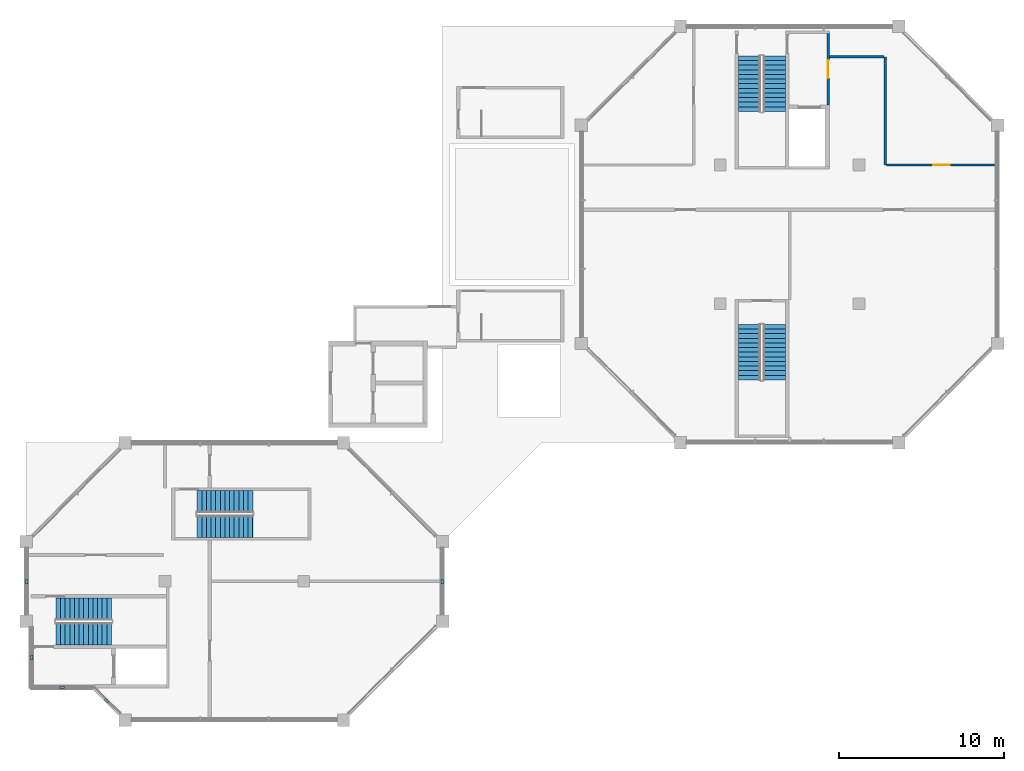
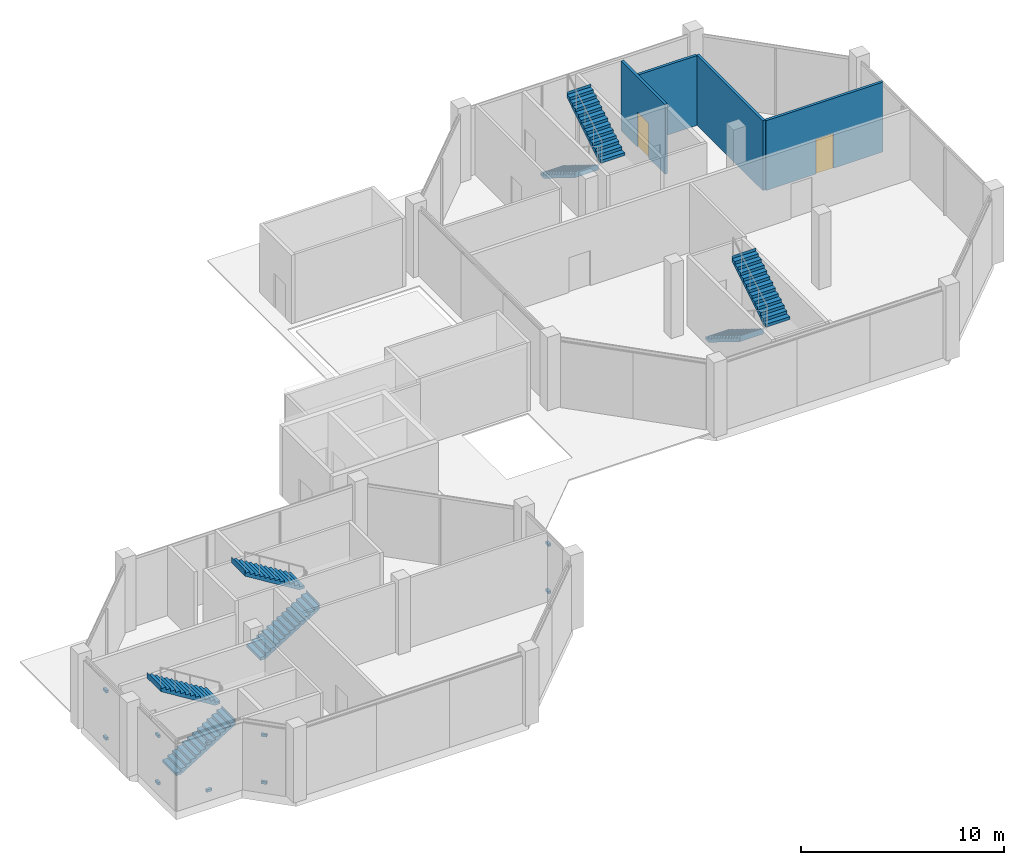
# One storey, part 7 of 10: 10 discrete accessories, 8 stair flights, 4 walls, 2 doors, 2 openings, 4 elements without a shape of their own.
"""IFC4 building model written with IfcOpenShell, lengths in metres."""

from ifc_helpers import new_model, si_unit, direction, frame, frame_2d, origin, origin_2d, place, context, subcontext, project, spatial, polyline, rectangle, outline, extrude, material, layer, layer_set, type_object, element, fill, aggregate, save


model = new_model("IFC4")

# Units and contexts
model_context = context("Model", 3, precision=1e-05, world=origin(), true_north=direction((0.0, 1.0)))
body_context = subcontext(model_context, "Body", "Model", "MODEL_VIEW")
ifc_project = project(units=[si_unit("LENGTHUNIT", "METRE"), si_unit("AREAUNIT", "SQUARE_METRE"), si_unit("VOLUMEUNIT", "CUBIC_METRE"), si_unit("PLANEANGLEUNIT", "RADIAN"), si_unit("MASSUNIT", "GRAM", prefix="KILO")], contexts=[model_context])

# Site, building, storey
site_placement = place(None, origin())
site = spatial("IfcSite", under=ifc_project, at=site_placement, CompositionType="ELEMENT")
building_placement = place(site_placement, origin())
building = spatial("IfcBuilding", under=site, at=building_placement, Name="Kawkab Arch Medical Tower", CompositionType="ELEMENT")
storey_placement = place(building_placement, frame((0.0, 0.0, 336.699951171875)))
storey = spatial("IfcBuildingStorey", under=building, at=storey_placement, Name="L78", CompositionType="ELEMENT", Elevation=336.699951171875)

# Wall, opening, door
ifc_material_1 = material(Name="Gypsum board on steel studs", Category="steel")
ifc_layer_1 = layer(ifc_material_1, 0.14990234375)
ifc_layer_set_1 = layer_set([ifc_layer_1], Name="Gypsum board on steel studs")
wall_type_1 = type_object("IfcWallType", Name="Core room partition 150", PredefinedType="PARTITIONING", material=ifc_layer_set_1)
wall_1_placement = place(storey_placement, frame((48.52490234375, -4.77490234375, 0.0), z_axis=(0.0, 0.0, 1.0), x_axis=(0.0, 1.0, 0.0)))
wall_1 = element("IfcWall", 1, at=wall_1_placement, inside=storey, type_object=wall_type_1, Name="L78 core room partition", PredefinedType="PARTITIONING", context=body_context, shape_type="SweptSolid", body=[
    extrude(rectangle(XDim=4.324951171875, YDim=0.14990234375, at=frame_2d((2.16259765625, 0.0))), origin(), (0.0, 0.0, 1.0), 4.199951171875),
])
opening_1_placement = place(wall_1_placement, frame((1.625, 0.0, 0.0)))
opening_1 = element("IfcOpeningElement", 2, at=opening_1_placement, cuts=wall_1, Name="Opening FD", PredefinedType="OPENING", context=body_context, shape_type="SweptSolid", body=[
    extrude(rectangle(XDim=1.10009765625, YDim=2.10009765625, at=frame_2d((0.550048828125, 1.050048828125))), frame((0.0, 0.0849609375, 0.0), z_axis=(0.0, -1.0, 0.0), x_axis=(1.0, 0.0, 0.0)), (0.0, 0.0, 1.0), 0.169921875),
])
ifc_material_2 = material(Name="Hollow metal fire door leaf")
door_type_1 = type_object("IfcDoorType", Name="Firefighting lobby door 1100", OperationType="SINGLE_SWING_LEFT", PredefinedType="DOOR", material=ifc_material_2)
door_1_placement = place(opening_1_placement, origin())
door_1 = element("IfcDoor", 3, at=door_1_placement, inside=storey, type_object=door_type_1, Name="L78 Service lift lobby door SV1", OperationType="SINGLE_SWING_LEFT", OverallHeight=2.10009765625, OverallWidth=1.10009765625, PredefinedType="DOOR", context=body_context, shape_type="SweptSolid", body=[
    extrude(rectangle(XDim=1.10009765625, YDim=2.10009765625, at=frame_2d((0.550048828125, 1.050048828125))), frame((0.0, 0.02490234375, 0.0), z_axis=(0.0, -1.0, 0.0), x_axis=(1.0, 0.0, 0.0)), (0.0, 0.0, 1.0), 0.050048828125),
])
fill(opening_1, door_1)

ifc_material_3 = material(Name="Gypsum board partition on steel studs, mineral wool", Category="steel")
ifc_layer_2 = layer(ifc_material_3, 0.14990234375)
ifc_layer_set_2 = layer_set([ifc_layer_2], Name="Gypsum board partition on steel studs, mineral wool")
wall_type_2 = type_object("IfcWallType", Name="Partition 150", PredefinedType="PARTITIONING", material=ifc_layer_set_2)
wall_2_placement = place(storey_placement, frame((52.068115234375, -8.39990234375, 0.0), z_axis=(0.0, 0.0, 1.0), x_axis=(1.0, 0.0, 0.0)))
wall_2 = element("IfcWall", 4, at=wall_2_placement, inside=storey, type_object=wall_type_2, Name="Partition 150 w003", PredefinedType="PARTITIONING", context=body_context, shape_type="SweptSolid", body=[
    extrude(rectangle(XDim=6.65185546875, YDim=0.14990234375, at=frame_2d((3.325927734375, 0.0))), origin(), (0.0, 0.0, 1.0), 4.199951171875),
])
opening_2_placement = place(wall_2_placement, frame((2.8291015625, 0.0, 0.0)))
opening_2 = element("IfcOpeningElement", 5, at=opening_2_placement, cuts=wall_2, Name="Opening C78-002", PredefinedType="OPENING", context=body_context, shape_type="SweptSolid", body=[
    extrude(rectangle(XDim=1.0, YDim=2.10009765625, at=frame_2d((0.5, 1.050048828125))), frame((0.0, 0.0849609375, 0.0), z_axis=(0.0, -1.0, 0.0), x_axis=(1.0, 0.0, 0.0)), (0.0, 0.0, 1.0), 0.169921875),
])
ifc_material_4 = material(Name="Hollow metal door leaf")
door_type_2 = type_object("IfcDoorType", Name="Single door 1000x2100 FD30S", OperationType="NOTDEFINED", PredefinedType="DOOR", material=ifc_material_4)
door_2_placement = place(opening_2_placement, origin())
door_2 = element("IfcDoor", 6, at=door_2_placement, inside=storey, type_object=door_type_2, Name="Door C78-002", OperationType="SINGLE_SWING_LEFT", OverallHeight=2.10009765625, OverallWidth=1.0, PredefinedType="DOOR", context=body_context, shape_type="SweptSolid", body=[
    extrude(rectangle(XDim=1.0, YDim=2.10009765625, at=frame_2d((0.5, 1.050048828125))), frame((0.0, 0.02490234375, 0.0), z_axis=(0.0, -1.0, 0.0), x_axis=(1.0, 0.0, 0.0)), (0.0, 0.0, 1.0), 0.050048828125),
])
fill(opening_2, door_2)

# Walls
wall_3_placement = place(storey_placement, frame((48.60009765625, -1.85009765625, 0.0), z_axis=(0.0, 0.0, 1.0), x_axis=(1.0, 0.0, 0.0)))
element("IfcWall", 7, at=wall_3_placement, inside=storey, type_object=wall_type_2, Name="Partition 150 w004", PredefinedType="PARTITIONING", context=body_context, shape_type="SweptSolid", body=[
    extrude(rectangle(XDim=3.31591796875, YDim=0.14990234375, at=frame_2d((1.657958984375, 0.0))), origin(), (0.0, 0.0, 1.0), 4.199951171875),
])
wall_4_placement = place(storey_placement, frame((51.992919921875, -8.39990234375, 0.0), z_axis=(0.0, 0.0, 1.0), x_axis=(0.0, 1.0, 0.0)))
element("IfcWall", 8, at=wall_4_placement, inside=storey, type_object=wall_type_2, Name="Partition 150 w008", PredefinedType="PARTITIONING", context=body_context, shape_type="SweptSolid", body=[
    extrude(rectangle(XDim=6.5478515625, YDim=0.14990234375, at=frame_2d((3.27392578125, 0.0))), origin(), (0.0, 0.0, 1.0), 4.199951171875),
])

# Stair, stair flights
ifc_material_5 = material(Name="Concrete C40/50", Category="concrete")
stair_type = type_object("IfcStairType", Name="Exit stair 1350", PredefinedType="HALF_TURN_STAIR", material=ifc_material_5)
placement = place(storey_placement, origin())
stair_1 = element("IfcStair", 9, at=placement, inside=storey, type_object=stair_type, Name="L78 Exit stair ST5", PredefinedType="HALF_TURN_STAIR")
ifc_material_6 = material(Name="Concrete C40/50", Category="concrete")
stair_flight_type = type_object("IfcStairFlightType", Name="Exit stair flight 1350", PredefinedType="STRAIGHT", material=ifc_material_6)
stair_flight_1_placement = place(storey_placement, frame((43.77490234375, -1.800048828125, 0.0), z_axis=(0.0, 0.0, 1.0), x_axis=(0.0, -1.0, 0.0)))
stair_flight_1 = element("IfcStairFlight", 10, at=stair_flight_1_placement, type_object=stair_flight_type, Name="ST5 flight 1", NumberOfRisers=13, NumberOfTreads=12, PredefinedType="STRAIGHT", RiserHeight=0.173076923, TreadLength=0.28, context=body_context, shape_type="SweptSolid", body=[
    extrude(outline(polyline([(-0.0029296875, 0.0), (-0.0029296875, 0.173095703125), (0.0, 0.173095703125), (0.280029296875, 0.173095703125), (0.280029296875, 0.34619140625), (0.56005859375, 0.34619140625), (0.56005859375, 0.519287109375), (0.840087890625, 0.519287109375), (0.840087890625, 0.6923828125), (1.1201171875, 0.6923828125), (1.1201171875, 0.865478515625), (1.39990234375, 0.865478515625), (1.39990234375, 1.03857421875), (1.679931640625, 1.03857421875), (1.679931640625, 1.21142578125), (1.9599609375, 1.21142578125), (1.9599609375, 1.384521484375), (2.239990234375, 1.384521484375), (2.239990234375, 1.5576171875), (2.52001953125, 1.5576171875), (2.52001953125, 1.730712890625), (2.800048828125, 1.730712890625), (2.800048828125, 1.90380859375), (3.080078125, 1.90380859375), (3.080078125, 2.076904296875), (3.360107421875, 2.076904296875), (3.360107421875, 2.25), (3.363037109375, 2.25), (3.363037109375, 1.900634765625), (3.360107421875, 1.900634765625), (0.28515625, 0.0), (-0.0029296875, 0.0)])), frame((0.0, 0.675048828125, 0.0), z_axis=(0.0, -1.0, 0.0), x_axis=(1.0, 0.0, 0.0)), (0.0, 0.0, 1.0), 1.35009765625),
])
stair_flight_2_placement = place(storey_placement, frame((45.27490234375, -5.159912109375, 2.25), z_axis=(0.0, 0.0, 1.0), x_axis=(0.0, 1.0, 0.0)))
stair_flight_2 = element("IfcStairFlight", 11, at=stair_flight_2_placement, type_object=stair_flight_type, Name="ST5 flight 2", NumberOfRisers=13, NumberOfTreads=12, PredefinedType="STRAIGHT", RiserHeight=0.173076923, TreadLength=0.28, context=body_context, shape_type="SweptSolid", body=[
    extrude(outline(polyline([(-0.0029296875, 0.0), (-0.0029296875, 0.173095703125), (0.0, 0.173095703125), (0.280029296875, 0.173095703125), (0.280029296875, 0.34619140625), (0.56005859375, 0.34619140625), (0.56005859375, 0.519287109375), (0.840087890625, 0.519287109375), (0.840087890625, 0.6923828125), (1.1201171875, 0.6923828125), (1.1201171875, 0.865478515625), (1.39990234375, 0.865478515625), (1.39990234375, 1.03857421875), (1.679931640625, 1.03857421875), (1.679931640625, 1.21142578125), (1.9599609375, 1.21142578125), (1.9599609375, 1.384521484375), (2.239990234375, 1.384521484375), (2.239990234375, 1.5576171875), (2.52001953125, 1.5576171875), (2.52001953125, 1.730712890625), (2.800048828125, 1.730712890625), (2.800048828125, 1.90380859375), (3.080078125, 1.90380859375), (3.080078125, 2.076904296875), (3.360107421875, 2.076904296875), (3.360107421875, 2.25), (3.363037109375, 2.25), (3.363037109375, 1.900634765625), (3.360107421875, 1.900634765625), (0.28515625, 0.0), (-0.0029296875, 0.0)])), frame((0.0, 0.675048828125, 0.0), z_axis=(0.0, -1.0, 0.0), x_axis=(1.0, 0.0, 0.0)), (0.0, 0.0, 1.0), 1.35009765625),
])
aggregate(stair_1, [stair_flight_1, stair_flight_2])

stair_2 = element("IfcStair", 12, at=placement, inside=storey, type_object=stair_type, Name="L78 Exit stair ST6", PredefinedType="HALF_TURN_STAIR")
stair_flight_3_placement = place(storey_placement, frame((1.800048828125, -36.77490234375, 0.0), z_axis=(0.0, 0.0, 1.0), x_axis=(1.0, 0.0, 0.0)))
stair_flight_3 = element("IfcStairFlight", 13, at=stair_flight_3_placement, type_object=stair_flight_type, Name="ST6 flight 1", NumberOfRisers=13, NumberOfTreads=12, PredefinedType="STRAIGHT", RiserHeight=0.173076923, TreadLength=0.28, context=body_context, shape_type="SweptSolid", body=[
    extrude(outline(polyline([(-0.0029296875, 0.0), (-0.0029296875, 0.173095703125), (0.0, 0.173095703125), (0.280029296875, 0.173095703125), (0.280029296875, 0.34619140625), (0.56005859375, 0.34619140625), (0.56005859375, 0.519287109375), (0.840087890625, 0.519287109375), (0.840087890625, 0.6923828125), (1.1201171875, 0.6923828125), (1.1201171875, 0.865478515625), (1.39990234375, 0.865478515625), (1.39990234375, 1.03857421875), (1.679931640625, 1.03857421875), (1.679931640625, 1.21142578125), (1.9599609375, 1.21142578125), (1.9599609375, 1.384521484375), (2.239990234375, 1.384521484375), (2.239990234375, 1.5576171875), (2.52001953125, 1.5576171875), (2.52001953125, 1.730712890625), (2.800048828125, 1.730712890625), (2.800048828125, 1.90380859375), (3.080078125, 1.90380859375), (3.080078125, 2.076904296875), (3.360107421875, 2.076904296875), (3.360107421875, 2.25), (3.363037109375, 2.25), (3.363037109375, 1.900634765625), (3.360107421875, 1.900634765625), (0.28515625, 0.0), (-0.0029296875, 0.0)])), frame((0.0, 0.675048828125, 0.0), z_axis=(0.0, -1.0, 0.0), x_axis=(1.0, 0.0, 0.0)), (0.0, 0.0, 1.0), 1.35009765625),
])
stair_flight_4_placement = place(storey_placement, frame((5.159912109375, -35.27490234375, 2.25), z_axis=(0.0, 0.0, 1.0), x_axis=(-1.0, 0.0, 0.0)))
stair_flight_4 = element("IfcStairFlight", 14, at=stair_flight_4_placement, type_object=stair_flight_type, Name="ST6 flight 2", NumberOfRisers=13, NumberOfTreads=12, PredefinedType="STRAIGHT", RiserHeight=0.173076923, TreadLength=0.28, context=body_context, shape_type="SweptSolid", body=[
    extrude(outline(polyline([(-0.0029296875, 0.0), (-0.0029296875, 0.173095703125), (0.0, 0.173095703125), (0.280029296875, 0.173095703125), (0.280029296875, 0.34619140625), (0.56005859375, 0.34619140625), (0.56005859375, 0.519287109375), (0.840087890625, 0.519287109375), (0.840087890625, 0.6923828125), (1.1201171875, 0.6923828125), (1.1201171875, 0.865478515625), (1.39990234375, 0.865478515625), (1.39990234375, 1.03857421875), (1.679931640625, 1.03857421875), (1.679931640625, 1.21142578125), (1.9599609375, 1.21142578125), (1.9599609375, 1.384521484375), (2.239990234375, 1.384521484375), (2.239990234375, 1.5576171875), (2.52001953125, 1.5576171875), (2.52001953125, 1.730712890625), (2.800048828125, 1.730712890625), (2.800048828125, 1.90380859375), (3.080078125, 1.90380859375), (3.080078125, 2.076904296875), (3.360107421875, 2.076904296875), (3.360107421875, 2.25), (3.363037109375, 2.25), (3.363037109375, 1.900634765625), (3.360107421875, 1.900634765625), (0.28515625, 0.0), (-0.0029296875, 0.0)])), frame((0.0, 0.675048828125, 0.0), z_axis=(0.0, -1.0, 0.0), x_axis=(1.0, 0.0, 0.0)), (0.0, 0.0, 1.0), 1.35009765625),
])
aggregate(stair_2, [stair_flight_3, stair_flight_4])

stair_3 = element("IfcStair", 15, at=placement, inside=storey, type_object=stair_type, Name="L78 Exit stair ST8", PredefinedType="HALF_TURN_STAIR")
stair_flight_5_placement = place(storey_placement, frame((43.77490234375, -18.050048828125, 0.0), z_axis=(0.0, 0.0, 1.0), x_axis=(0.0, -1.0, 0.0)))
stair_flight_5 = element("IfcStairFlight", 16, at=stair_flight_5_placement, type_object=stair_flight_type, Name="ST8 flight 1", NumberOfRisers=13, NumberOfTreads=12, PredefinedType="STRAIGHT", RiserHeight=0.173076923, TreadLength=0.28, context=body_context, shape_type="SweptSolid", body=[
    extrude(outline(polyline([(-0.0029296875, 0.0), (-0.0029296875, 0.173095703125), (0.0, 0.173095703125), (0.280029296875, 0.173095703125), (0.280029296875, 0.34619140625), (0.56005859375, 0.34619140625), (0.56005859375, 0.519287109375), (0.840087890625, 0.519287109375), (0.840087890625, 0.6923828125), (1.1201171875, 0.6923828125), (1.1201171875, 0.865478515625), (1.39990234375, 0.865478515625), (1.39990234375, 1.03857421875), (1.679931640625, 1.03857421875), (1.679931640625, 1.21142578125), (1.9599609375, 1.21142578125), (1.9599609375, 1.384521484375), (2.239990234375, 1.384521484375), (2.239990234375, 1.5576171875), (2.52001953125, 1.5576171875), (2.52001953125, 1.730712890625), (2.800048828125, 1.730712890625), (2.800048828125, 1.90380859375), (3.080078125, 1.90380859375), (3.080078125, 2.076904296875), (3.360107421875, 2.076904296875), (3.360107421875, 2.25), (3.363037109375, 2.25), (3.363037109375, 1.900634765625), (3.360107421875, 1.900634765625), (0.28515625, 0.0), (-0.0029296875, 0.0)])), frame((0.0, 0.675048828125, 0.0), z_axis=(0.0, -1.0, 0.0), x_axis=(1.0, 0.0, 0.0)), (0.0, 0.0, 1.0), 1.35009765625),
])
stair_flight_6_placement = place(storey_placement, frame((45.27490234375, -21.409912109375, 2.25), z_axis=(0.0, 0.0, 1.0), x_axis=(0.0, 1.0, 0.0)))
stair_flight_6 = element("IfcStairFlight", 17, at=stair_flight_6_placement, type_object=stair_flight_type, Name="ST8 flight 2", NumberOfRisers=13, NumberOfTreads=12, PredefinedType="STRAIGHT", RiserHeight=0.173076923, TreadLength=0.28, context=body_context, shape_type="SweptSolid", body=[
    extrude(outline(polyline([(-0.0029296875, 0.0), (-0.0029296875, 0.173095703125), (0.0, 0.173095703125), (0.280029296875, 0.173095703125), (0.280029296875, 0.34619140625), (0.56005859375, 0.34619140625), (0.56005859375, 0.519287109375), (0.840087890625, 0.519287109375), (0.840087890625, 0.6923828125), (1.1201171875, 0.6923828125), (1.1201171875, 0.865478515625), (1.39990234375, 0.865478515625), (1.39990234375, 1.03857421875), (1.679931640625, 1.03857421875), (1.679931640625, 1.21142578125), (1.9599609375, 1.21142578125), (1.9599609375, 1.384521484375), (2.239990234375, 1.384521484375), (2.239990234375, 1.5576171875), (2.52001953125, 1.5576171875), (2.52001953125, 1.730712890625), (2.800048828125, 1.730712890625), (2.800048828125, 1.90380859375), (3.080078125, 1.90380859375), (3.080078125, 2.076904296875), (3.360107421875, 2.076904296875), (3.360107421875, 2.25), (3.363037109375, 2.25), (3.363037109375, 1.900634765625), (3.360107421875, 1.900634765625), (0.28515625, 0.0), (-0.0029296875, 0.0)])), frame((0.0, 0.675048828125, 0.0), z_axis=(0.0, -1.0, 0.0), x_axis=(1.0, 0.0, 0.0)), (0.0, 0.0, 1.0), 1.35009765625),
])
aggregate(stair_3, [stair_flight_5, stair_flight_6])

stair_4 = element("IfcStair", 18, at=placement, inside=storey, type_object=stair_type, Name="L78 Exit stair ST9", PredefinedType="HALF_TURN_STAIR")
stair_flight_7_placement = place(storey_placement, frame((10.35009765625, -30.27490234375, 0.0), z_axis=(0.0, 0.0, 1.0), x_axis=(1.0, 0.0, 0.0)))
stair_flight_7 = element("IfcStairFlight", 19, at=stair_flight_7_placement, type_object=stair_flight_type, Name="ST9 flight 1", NumberOfRisers=13, NumberOfTreads=12, PredefinedType="STRAIGHT", RiserHeight=0.173076923, TreadLength=0.28, context=body_context, shape_type="SweptSolid", body=[
    extrude(outline(polyline([(-0.0029296875, 0.0), (-0.0029296875, 0.173095703125), (0.0, 0.173095703125), (0.280029296875, 0.173095703125), (0.280029296875, 0.34619140625), (0.56005859375, 0.34619140625), (0.56005859375, 0.519287109375), (0.840087890625, 0.519287109375), (0.840087890625, 0.6923828125), (1.1201171875, 0.6923828125), (1.1201171875, 0.865478515625), (1.39990234375, 0.865478515625), (1.39990234375, 1.03857421875), (1.679931640625, 1.03857421875), (1.679931640625, 1.21142578125), (1.9599609375, 1.21142578125), (1.9599609375, 1.384521484375), (2.239990234375, 1.384521484375), (2.239990234375, 1.5576171875), (2.52001953125, 1.5576171875), (2.52001953125, 1.730712890625), (2.800048828125, 1.730712890625), (2.800048828125, 1.90380859375), (3.080078125, 1.90380859375), (3.080078125, 2.076904296875), (3.360107421875, 2.076904296875), (3.360107421875, 2.25), (3.363037109375, 2.25), (3.363037109375, 1.900634765625), (3.360107421875, 1.900634765625), (0.28515625, 0.0), (-0.0029296875, 0.0)])), frame((0.0, 0.675048828125, 0.0), z_axis=(0.0, -1.0, 0.0), x_axis=(1.0, 0.0, 0.0)), (0.0, 0.0, 1.0), 1.35009765625),
])
stair_flight_8_placement = place(storey_placement, frame((13.7099609375, -28.77490234375, 2.25), z_axis=(0.0, 0.0, 1.0), x_axis=(-1.0, 0.0, 0.0)))
stair_flight_8 = element("IfcStairFlight", 20, at=stair_flight_8_placement, type_object=stair_flight_type, Name="ST9 flight 2", NumberOfRisers=13, NumberOfTreads=12, PredefinedType="STRAIGHT", RiserHeight=0.173076923, TreadLength=0.28, context=body_context, shape_type="SweptSolid", body=[
    extrude(outline(polyline([(-0.0029296875, 0.0), (-0.0029296875, 0.173095703125), (0.0, 0.173095703125), (0.280029296875, 0.173095703125), (0.280029296875, 0.34619140625), (0.56005859375, 0.34619140625), (0.56005859375, 0.519287109375), (0.840087890625, 0.519287109375), (0.840087890625, 0.6923828125), (1.1201171875, 0.6923828125), (1.1201171875, 0.865478515625), (1.39990234375, 0.865478515625), (1.39990234375, 1.03857421875), (1.679931640625, 1.03857421875), (1.679931640625, 1.21142578125), (1.9599609375, 1.21142578125), (1.9599609375, 1.384521484375), (2.239990234375, 1.384521484375), (2.239990234375, 1.5576171875), (2.52001953125, 1.5576171875), (2.52001953125, 1.730712890625), (2.800048828125, 1.730712890625), (2.800048828125, 1.90380859375), (3.080078125, 1.90380859375), (3.080078125, 2.076904296875), (3.360107421875, 2.076904296875), (3.360107421875, 2.25), (3.363037109375, 2.25), (3.363037109375, 1.900634765625), (3.360107421875, 1.900634765625), (0.28515625, 0.0), (-0.0029296875, 0.0)])), frame((0.0, 0.675048828125, 0.0), z_axis=(0.0, -1.0, 0.0), x_axis=(1.0, 0.0, 0.0)), (0.0, 0.0, 1.0), 1.35009765625),
])
aggregate(stair_4, [stair_flight_7, stair_flight_8])

# Discrete accessories
ifc_material_7 = material(Name="Galvanised steel screen bracket", Category="steel")
discrete_accessory_type = type_object("IfcDiscreteAccessoryType", Name="Screen bracket 300 x 150", PredefinedType="BRACKET", material=ifc_material_7)
for number, where, z_axis, x_axis, name in (
    (21, (0.027587890625, -33.60009765625, 0.525146484375), (0.0, 0.0, 1.0), (0.0, -1.0, 0.0), "Screen bracket L78 R12.1.1.1"),
    (22, (0.027587890625, -33.60009765625, 3.364990234375), (0.0, 0.0, 1.0), (0.0, -1.0, 0.0), "Screen bracket L78 R12.1.1.2"),
    (23, (0.327392578125, -38.21240234375, 0.525146484375), (0.0, 0.0, 1.0), (0.0, -1.0, 0.0), "Screen bracket L78 R14.1.1.1"),
    (24, (0.327392578125, -38.21240234375, 3.364990234375), (0.0, 0.0, 1.0), (0.0, -1.0, 0.0), "Screen bracket L78 R14.1.1.2"),
    (25, (2.175048828125, -40.0224609375, 0.525146484375), (0.0, 0.0, 1.0), (1.0, 0.0, 0.0), "Screen bracket L78 R15.1.1.1"),
    (26, (2.175048828125, -40.0224609375, 3.364990234375), (0.0, 0.0, 1.0), (1.0, 0.0, 0.0), "Screen bracket L78 R15.1.1.2"),
    (27, (4.85693359375, -40.818115234375, 0.525146484375), (0.0, 0.0, 1.0), (0.707106781187, -0.707106781187, 0.0), "Screen bracket L78 R16.1.1.1"),
    (28, (4.85693359375, -40.818115234375, 3.364990234375), (0.0, 0.0, 1.0), (0.707106781187, -0.707106781187, 0.0), "Screen bracket L78 R16.1.1.2"),
    (29, (25.172607421875, -33.60009765625, 0.525146484375), (0.0, 0.0, 1.0), (0.0, 1.0, 0.0), "Screen bracket L78 R19.1.1.1"),
    (30, (25.172607421875, -33.60009765625, 3.364990234375), (0.0, 0.0, 1.0), (0.0, 1.0, 0.0), "Screen bracket L78 R19.1.1.2"),
):
    element("IfcDiscreteAccessory", number, at=place(storey_placement, frame(where, z_axis=z_axis, x_axis=x_axis)), inside=storey, type_object=discrete_accessory_type, Name=name, PredefinedType="BRACKET", context=body_context, shape_type="SweptSolid", body=[
        extrude(rectangle(XDim=0.300048828125, YDim=0.14501953125, at=origin_2d()), origin(), (0.0, 0.0, 1.0), 0.14990234375),
    ])

save(model, "model.ifc")
